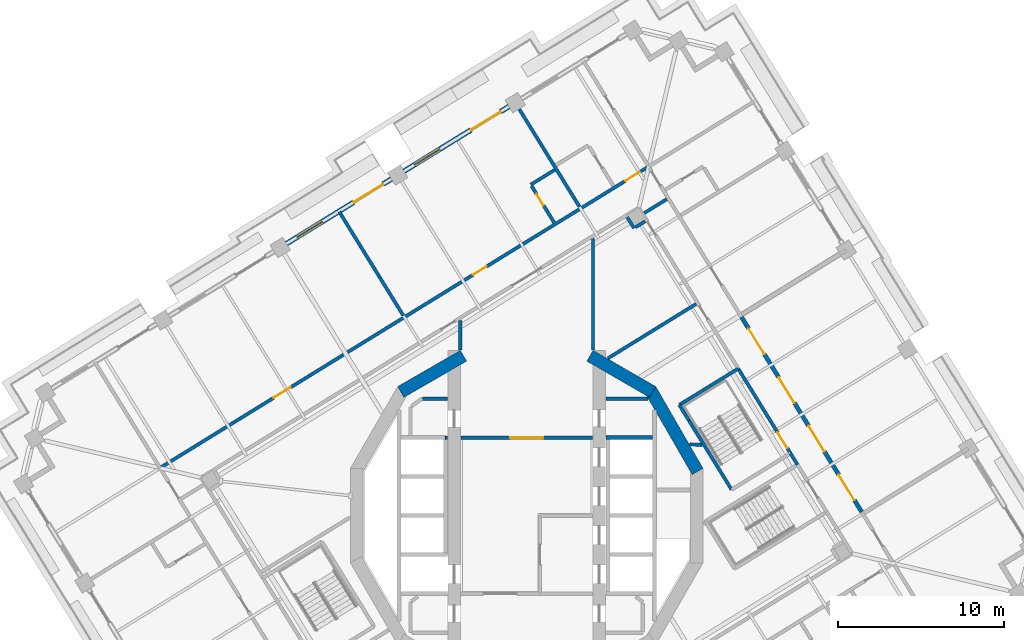
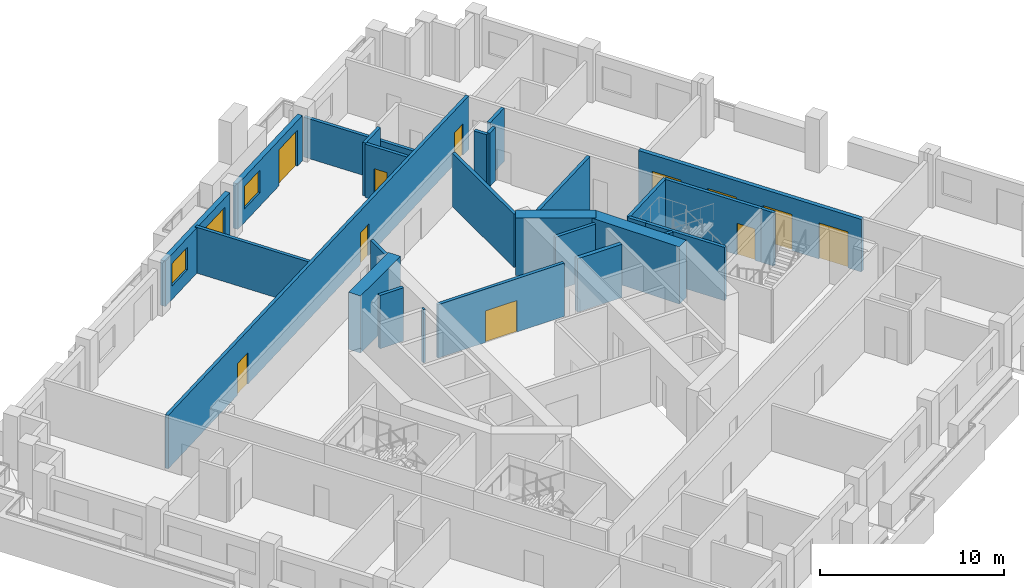
# One storey, part 8 of 20: 28 walls, 12 doors, 2 windows, 14 openings.
"""IFC4 building model written with IfcOpenShell, lengths in metres."""

import ifcopenshell
import ifcopenshell.guid

model = None  # the IFC model being written
_history = None  # IfcOwnerHistory: only IFC2X3 demands one
_inside = {}  # id of a spatial element -> (the spatial element, [elements in it])
_under = {}  # id of a project, library or spatial element -> (it, [spatial elements below it])
_declared = {}  # id of a project -> (the project, [libraries it declares])
_typed = {}  # id of a type object -> (the type object, [elements of that type])
_made_of = {}  # id of a material, layer set ... -> (it, [elements and type objects made of it])


def new_model(schema):
    """Start an empty IFC model of exactly this schema.

    Asked for "IFC4X3", IfcOpenShell would pick the latest addendum, in which some entities
    have other attributes; the version numbers below select the first issue.
    IFC2X3 requires an IfcOwnerHistory on every rooted entity: one is made here for all.
    """
    global model, _history
    if schema == "IFC4X3":
        model = ifcopenshell.file(schema_version=(4, 3, 0, 0))
    else:
        model = ifcopenshell.file(schema=schema)
    _inside.clear()
    _under.clear()
    _declared.clear()
    _typed.clear()
    _made_of.clear()
    _history = None
    if model.schema == "IFC2X3":
        org = make("IfcOrganization", Name="unknown")
        user = make(
            "IfcPersonAndOrganization",
            ThePerson=make("IfcPerson", FamilyName="unknown"),
            TheOrganization=org,
        )
        app = make(
            "IfcApplication",
            ApplicationDeveloper=org,
            Version="unknown",
            ApplicationFullName="unknown",
            ApplicationIdentifier="unknown",
        )
        _history = make(
            "IfcOwnerHistory",
            OwningUser=user,
            OwningApplication=app,
            ChangeAction="ADDED",
            CreationDate=0,
        )
    return model


def make(cls, **values):
    """One entity of the class cls with the attributes given. An attribute that is None is left unset."""
    return model.create_entity(
        cls, **{name: value for name, value in values.items() if value is not None}
    )


def rooted(cls, **values):
    """An entity with a GlobalId (a new one), such as an element, a storey or a relation."""
    return make(cls, GlobalId=ifcopenshell.guid.new(), OwnerHistory=_history, **values)


def si_unit(unit_type, name, prefix=None):
    """IfcSIUnit, for example si_unit("LENGTHUNIT", "METRE", prefix="MILLI")."""
    return make("IfcSIUnit", UnitType=unit_type, Prefix=prefix, Name=name)


def assignment(units):
    """IfcUnitAssignment: the units of a project."""
    return None if units is None else make("IfcUnitAssignment", Units=units)


def point(xyz):
    """IfcCartesianPoint."""
    return None if xyz is None else make("IfcCartesianPoint", Coordinates=xyz)


def direction(xyz):
    """IfcDirection."""
    return None if xyz is None else make("IfcDirection", DirectionRatios=xyz)


def frame(location, z_axis=None, x_axis=None):
    """IfcAxis2Placement3D, a coordinate frame: its origin and axes. An axis left out is left unset."""
    return make(
        "IfcAxis2Placement3D",
        Location=point(location),
        Axis=direction(z_axis),
        RefDirection=direction(x_axis),
    )


def frame_2d(location, x_axis=None):
    """IfcAxis2Placement2D, a coordinate frame in the plane: its origin and x axis."""
    return make(
        "IfcAxis2Placement2D", Location=point(location), RefDirection=direction(x_axis)
    )


def origin():
    """The frame at (0, 0, 0) with its axes left unset."""
    return frame((0.0, 0.0, 0.0))


def place(relative_to, where):
    """IfcLocalPlacement: puts the frame where relative to a parent placement (None: the world)."""
    return make(
        "IfcLocalPlacement", PlacementRelTo=relative_to, RelativePlacement=where
    )


def context(
    kind, dimensions, precision=None, world=None, true_north=None, identifier=None
):
    """IfcGeometricRepresentationContext, for example the 3D "Model" context."""
    return make(
        "IfcGeometricRepresentationContext",
        ContextIdentifier=identifier,
        ContextType=kind,
        CoordinateSpaceDimension=dimensions,
        Precision=precision,
        WorldCoordinateSystem=world,
        TrueNorth=true_north,
    )


def subcontext(parent, identifier, kind, view, scale=None):
    """IfcGeometricRepresentationSubContext, for example "Body" below "Model"."""
    return make(
        "IfcGeometricRepresentationSubContext",
        ContextIdentifier=identifier,
        ContextType=kind,
        ParentContext=parent,
        TargetScale=scale,
        TargetView=view,
    )


def project(units=None, contexts=None):
    """IfcProject with its units and contexts."""
    return rooted(
        "IfcProject",
        Name="project",
        RepresentationContexts=contexts,
        UnitsInContext=assignment(units),
    )


def spatial(cls, under=None, at=None, **own):
    """A site, building, storey or space (cls), placed at a placement, below another one or the project."""
    s = rooted(cls, ObjectPlacement=at, **own)
    if under is not None:
        _under.setdefault(under.id(), (under, []))[1].append(s)
    return s


def profile(cls, at=None, kind="AREA", **sizes):
    """A parametric profile (cls). Its sizes go by their IFC names, for example OverallWidth=200.0."""
    return make(cls, ProfileType=kind, Position=at, **sizes)


def rectangle(**sizes):
    """IfcRectangleProfileDef."""
    return profile("IfcRectangleProfileDef", **sizes)


def extrude(swept, where, along, depth):
    """IfcExtrudedAreaSolid: the profile swept, set in the frame where, extruded along a direction by depth."""
    return make(
        "IfcExtrudedAreaSolid",
        SweptArea=swept,
        Position=where,
        ExtrudedDirection=direction(along),
        Depth=depth,
    )


def shape(context_of_items, identifier, shape_type, items):
    """IfcShapeRepresentation: the items that make up one representation, for example the "Body"."""
    return make(
        "IfcShapeRepresentation",
        ContextOfItems=context_of_items,
        RepresentationIdentifier=identifier,
        RepresentationType=shape_type,
        Items=items,
    )


def material(Name=None, Category=None):
    """IfcMaterial."""
    return make("IfcMaterial", Name=Name, Category=Category)


def layer(
    of_material, thickness, ventilated=None, Name=None, Category=None, Priority=None
):
    """IfcMaterialLayer: one layer of a wall or slab, of a material (None: an air gap)."""
    return make(
        "IfcMaterialLayer",
        Material=of_material,
        LayerThickness=thickness,
        IsVentilated=ventilated,
        Name=Name,
        Category=Category,
        Priority=Priority,
    )


def layer_set(layers, Name=None):
    """IfcMaterialLayerSet."""
    return make("IfcMaterialLayerSet", MaterialLayers=layers, LayerSetName=Name)


def made_of(thing, what):
    """Note that an element or type object is made of a material, layer set ...; save() writes the relation."""
    if what is not None:
        _made_of.setdefault(what.id(), (what, []))[1].append(thing)
    return thing


def type_object(cls, material=None, **own):
    """A type object (cls), such as IfcWallType, which elements share."""
    return made_of(rooted(cls, **own), material)


def element(
    cls,
    number,
    at=None,
    inside=None,
    cuts=None,
    type_object=None,
    material=None,
    context=None,
    identifier="Body",
    shape_type=None,
    held_by="IfcProductDefinitionShape",
    body=None,
    shapes=None,
    **own,
):
    """One element of the class cls, such as IfcWall. Its Tag is "e" and its number.

    at: its placement. inside: the storey or other place that contains it. cuts: it is an
    opening in that element (IfcRelVoidsElement). A single representation is given by context,
    identifier, shape_type and body (its items); several are given by shapes. held_by: the class
    of the entity that holds the representations. save() writes the other relations.
    """
    e = rooted(cls, Tag="e%d" % number, ObjectPlacement=at, **own)
    if body is not None:
        shapes = [shape(context, identifier, shape_type, body)]
    if shapes is not None:
        e.Representation = make(held_by, Representations=shapes)
    if inside is not None:
        _inside.setdefault(inside.id(), (inside, []))[1].append(e)
    if cuts is not None:
        rooted(
            "IfcRelVoidsElement", RelatingBuildingElement=cuts, RelatedOpeningElement=e
        )
    if type_object is not None:
        _typed.setdefault(type_object.id(), (type_object, []))[1].append(e)
    return made_of(e, material)


def fill(opening, filler):
    """IfcRelFillsElement: the door or window that sits in an opening."""
    return rooted(
        "IfcRelFillsElement",
        RelatingOpeningElement=opening,
        RelatedBuildingElement=filler,
    )


def aggregate(whole, parts):
    """IfcRelAggregates: a whole, such as a stair, and the parts it consists of."""
    return rooted("IfcRelAggregates", RelatingObject=whole, RelatedObjects=parts)


def save(model, path):
    """Write the relations noted so far, then the file.

    IfcRelAggregates (storeys below a building ...), IfcRelContainedInSpatialStructure (elements
    in a storey), IfcRelDefinesByType, IfcRelAssociatesMaterial and IfcRelDeclares: one each for
    every whole, place, type object, material and project.
    """
    for whole, parts in _under.values():
        aggregate(whole, parts)
    for where, things in _inside.values():
        rooted(
            "IfcRelContainedInSpatialStructure",
            RelatedElements=things,
            RelatingStructure=where,
        )
    for kind, things in _typed.values():
        rooted("IfcRelDefinesByType", RelatedObjects=things, RelatingType=kind)
    for what, things in _made_of.values():
        rooted("IfcRelAssociatesMaterial", RelatedObjects=things, RelatingMaterial=what)
    for by, libraries in _declared.values():
        rooted("IfcRelDeclares", RelatingContext=by, RelatedDefinitions=libraries)
    model.write(path)


model = new_model("IFC4")

# Units and contexts
model_context = context("Model", 3, precision=1e-05, world=origin(), true_north=direction((0.0, 1.0)))
body_context = subcontext(model_context, "Body", "Model", "MODEL_VIEW")
ifc_project = project(units=[si_unit("LENGTHUNIT", "METRE"), si_unit("AREAUNIT", "SQUARE_METRE"), si_unit("VOLUMEUNIT", "CUBIC_METRE"), si_unit("PLANEANGLEUNIT", "RADIAN"), si_unit("MASSUNIT", "GRAM", prefix="KILO")], contexts=[model_context])

# Site, building, storey
site_placement = place(None, origin())
site = spatial("IfcSite", under=ifc_project, at=site_placement, CompositionType="ELEMENT")
building_placement = place(site_placement, origin())
building = spatial("IfcBuilding", under=site, at=building_placement, Name="Cantera Rosa Tower", CompositionType="ELEMENT")
storey_placement = place(building_placement, frame((0.0, 0.0, 181.800048828125)))
storey = spatial("IfcBuildingStorey", under=building, at=storey_placement, Name="L40", CompositionType="ELEMENT", Elevation=181.800048828125)

# Wall
ifc_material_1 = material(Name="Gypsum board partition")
ifc_layer_1 = layer(ifc_material_1, 0.199951171875)
ifc_layer_set_1 = layer_set([ifc_layer_1], Name="CORRIDOR WALL 200 H3550")
wall_type_1 = type_object("IfcWallType", Name="CORRIDOR WALL 200 H3550", PredefinedType="PARTITIONING", material=ifc_layer_set_1)
wall_1_placement = place(storey_placement, frame((-4.0, 11.765625, 0.0), z_axis=(0.0, 0.0, 1.0), x_axis=(0.0, -1.0, 0.0)))
element("IfcWall", 1, at=wall_1_placement, inside=storey, type_object=wall_type_1, Name="CORRIDOR WALL L40-049", PredefinedType="PARTITIONING", context=body_context, shape_type="SweptSolid", body=[
    extrude(rectangle(XDim=1.771484375, YDim=0.199951171875, at=frame_2d((0.8857421875, 0.0))), origin(), (0.0, 0.0, 1.0), 3.550048828125),
])

# Wall, opening, door
wall_2_placement = place(storey_placement, frame((-3.969970703125, 4.699951171875, 0.0), z_axis=(0.0, 0.0, 1.0), x_axis=(1.0, 0.0, 0.0)))
wall_2 = element("IfcWall", 2, at=wall_2_placement, inside=storey, type_object=wall_type_1, Name="CORRIDOR WALL L40-050", PredefinedType="PARTITIONING", context=body_context, shape_type="SweptSolid", body=[
    extrude(rectangle(XDim=7.93994140625, YDim=0.199951171875, at=frame_2d((3.969970703125, 0.0))), origin(), (0.0, 0.0, 1.0), 3.550048828125),
])
opening_1_placement = place(wall_2_placement, frame((2.969970703125, 0.0, 0.0)))
opening_1 = element("IfcOpeningElement", 3, at=opening_1_placement, cuts=wall_2, Name="Opening L40-012", PredefinedType="OPENING", context=body_context, shape_type="SweptSolid", body=[
    extrude(rectangle(XDim=2.0, YDim=2.10009765625, at=frame_2d((1.0, 1.050048828125))), frame((0.0, 0.10986328125, 0.0), z_axis=(0.0, -1.0, 0.0), x_axis=(1.0, 0.0, 0.0)), (0.0, 0.0, 1.0), 0.219970703125),
])
ifc_material_2 = material(Name="Steel S355J2 (EN 10025-2)", Category="steel")
door_type_1 = type_object("IfcDoorType", Name="LOBBY SCREEN DOOR 2000x2100", OperationType="NOTDEFINED", PredefinedType="DOOR", material=ifc_material_2)
door_1_placement = place(opening_1_placement, origin())
door_1 = element("IfcDoor", 4, at=door_1_placement, inside=storey, type_object=door_type_1, Name="DOOR L40-012", OperationType="NOTDEFINED", OverallHeight=2.10009765625, OverallWidth=2.0, PredefinedType="DOOR", context=body_context, shape_type="SweptSolid", body=[
    extrude(rectangle(XDim=2.0, YDim=2.10009765625, at=frame_2d((1.0, 1.050048828125))), frame((0.0, 0.02490234375, 0.0), z_axis=(0.0, -1.0, 0.0), x_axis=(1.0, 0.0, 0.0)), (0.0, 0.0, 1.0), 0.050048828125),
])
fill(opening_1, door_1)

# Walls
wall_3_placement = place(storey_placement, frame((4.0, 9.994140625, 0.0), z_axis=(0.0, 0.0, 1.0), x_axis=(0.0, 1.0, 0.0)))
element("IfcWall", 5, at=wall_3_placement, inside=storey, type_object=wall_type_1, Name="CORRIDOR WALL L40-066", PredefinedType="PARTITIONING", context=body_context, shape_type="SweptSolid", body=[
    extrude(rectangle(XDim=6.7060546875, YDim=0.199951171875, at=frame_2d((3.35302734375, 0.0))), origin(), (0.0, 0.0, 1.0), 3.550048828125),
])
wall_4_placement = place(storey_placement, frame((7.08154296875, 18.234619140625, 0.0), z_axis=(0.0, 0.0, 1.0), x_axis=(0.851154962238, 0.524914498045, 0.0)))
element("IfcWall", 6, at=wall_4_placement, inside=storey, type_object=wall_type_1, Name="CORRIDOR WALL L40-078", PredefinedType="PARTITIONING", context=body_context, shape_type="SweptSolid", body=[
    extrude(rectangle(XDim=1.599853515625, YDim=0.199951171875, at=frame_2d((0.7998046875, 0.0))), origin(), (0.0, 0.0, 1.0), 3.550048828125),
])

# Wall, openings, doors
wall_5_placement = place(storey_placement, frame((7.348388671875, 21.040283203125, 0.0), z_axis=(0.0, 0.0, 1.0), x_axis=(-0.851118224949, -0.524974063321, 0.0)))
wall_5 = element("IfcWall", 7, at=wall_5_placement, inside=storey, type_object=wall_type_1, Name="CORRIDOR WALL L40-079", PredefinedType="PARTITIONING", context=body_context, shape_type="SweptSolid", body=[
    extrude(rectangle(XDim=34.5, YDim=0.199951171875, at=frame_2d((17.25, 0.0))), origin(), (0.0, 0.0, 1.0), 3.550048828125),
])
opening_2_placement = place(wall_5_placement, frame((25.35009765625, 0.0, 0.0)))
opening_2 = element("IfcOpeningElement", 8, at=opening_2_placement, cuts=wall_5, Name="Opening L40-024", PredefinedType="OPENING", context=body_context, shape_type="SweptSolid", body=[
    extrude(rectangle(XDim=1.199951171875, YDim=2.10009765625, at=frame_2d((0.60009765625, 1.050048828125))), frame((0.0, 0.10986328125, 0.0), z_axis=(0.0, -1.0, 0.0), x_axis=(1.0, 0.0, 0.0)), (0.0, 0.0, 1.0), 0.219970703125),
])
opening_3_placement = place(wall_5_placement, frame((11.485107421875, 0.0, 0.0)))
opening_3 = element("IfcOpeningElement", 9, at=opening_3_placement, cuts=wall_5, Name="Opening L40-025", PredefinedType="OPENING", context=body_context, shape_type="SweptSolid", body=[
    extrude(rectangle(XDim=0.949951171875, YDim=2.10009765625, at=frame_2d((0.47509765625, 1.050048828125))), frame((0.0, 0.10986328125, 0.0), z_axis=(0.0, -1.0, 0.0), x_axis=(1.0, 0.0, 0.0)), (0.0, 0.0, 1.0), 0.219970703125),
])
opening_4_placement = place(wall_5_placement, frame((0.64990234375, 0.0, 0.0)))
opening_4 = element("IfcOpeningElement", 10, at=opening_4_placement, cuts=wall_5, Name="Opening L40-027", PredefinedType="OPENING", context=body_context, shape_type="SweptSolid", body=[
    extrude(rectangle(XDim=1.0, YDim=2.10009765625, at=frame_2d((0.5, 1.050048828125))), frame((0.0, 0.10986328125, 0.0), z_axis=(0.0, -1.0, 0.0), x_axis=(1.0, 0.0, 0.0)), (0.0, 0.0, 1.0), 0.219970703125),
])
ifc_material_3 = material(Name="Timber door leaf", Category="wood")
door_type_2 = type_object("IfcDoorType", Name="ENTRANCE DOOR 1000x2100", OperationType="NOTDEFINED", PredefinedType="DOOR", material=ifc_material_3)
door_2_placement = place(opening_4_placement, origin())
door_2 = element("IfcDoor", 11, at=door_2_placement, inside=storey, type_object=door_type_2, Name="DOOR L40-027", OperationType="NOTDEFINED", OverallHeight=2.10009765625, OverallWidth=1.0, PredefinedType="DOOR", context=body_context, shape_type="SweptSolid", body=[
    extrude(rectangle(XDim=1.0, YDim=2.10009765625, at=frame_2d((0.5, 1.050048828125))), frame((0.0, 0.02490234375, 0.0), z_axis=(0.0, -1.0, 0.0), x_axis=(1.0, 0.0, 0.0)), (0.0, 0.0, 1.0), 0.050048828125),
])
fill(opening_4, door_2)
ifc_material_4 = material(Name="Timber door leaf", Category="wood")
door_type_3 = type_object("IfcDoorType", Name="ROOM DOOR 1200x2100", OperationType="NOTDEFINED", PredefinedType="DOOR", material=ifc_material_4)
door_3_placement = place(opening_2_placement, origin())
door_3 = element("IfcDoor", 12, at=door_3_placement, inside=storey, type_object=door_type_3, Name="DOOR L40-024", OperationType="NOTDEFINED", OverallHeight=2.10009765625, OverallWidth=1.199951171875, PredefinedType="DOOR", context=body_context, shape_type="SweptSolid", body=[
    extrude(rectangle(XDim=1.199951171875, YDim=2.10009765625, at=frame_2d((0.60009765625, 1.050048828125))), frame((0.0, 0.02490234375, 0.0), z_axis=(0.0, -1.0, 0.0), x_axis=(1.0, 0.0, 0.0)), (0.0, 0.0, 1.0), 0.050048828125),
])
fill(opening_2, door_3)
ifc_material_5 = material(Name="Timber door leaf", Category="wood")
door_type_4 = type_object("IfcDoorType", Name="ROOM DOOR 950x2100", OperationType="NOTDEFINED", PredefinedType="DOOR", material=ifc_material_5)
door_4_placement = place(opening_3_placement, origin())
door_4 = element("IfcDoor", 13, at=door_4_placement, inside=storey, type_object=door_type_4, Name="DOOR L40-025", OperationType="NOTDEFINED", OverallHeight=2.10009765625, OverallWidth=0.949951171875, PredefinedType="DOOR", context=body_context, shape_type="SweptSolid", body=[
    extrude(rectangle(XDim=0.949951171875, YDim=2.10009765625, at=frame_2d((0.47509765625, 1.050048828125))), frame((0.0, 0.02490234375, 0.0), z_axis=(0.0, -1.0, 0.0), x_axis=(1.0, 0.0, 0.0)), (0.0, 0.0, 1.0), 0.050048828125),
])
fill(opening_3, door_4)

# Wall
wall_6_placement = place(storey_placement, frame((16.31591796875, 3.072998046875, 0.0), z_axis=(0.0, 0.0, 1.0), x_axis=(-0.524947597637, 0.85113454855, 0.0)))
element("IfcWall", 14, at=wall_6_placement, inside=storey, type_object=wall_type_1, Name="CORRIDOR WALL L40-101", PredefinedType="PARTITIONING", context=body_context, shape_type="SweptSolid", body=[
    extrude(rectangle(XDim=0.80078125, YDim=0.199951171875, at=frame_2d((0.400390625, 0.0))), origin(), (0.0, 0.0, 1.0), 3.550048828125),
])

# Wall, openings, window, door
ifc_material_6 = material(Name="Hollow clay masonry with cantera stone cladding", Category="masonry")
ifc_layer_2 = layer(ifc_material_6, 0.300048828125)
ifc_layer_set_2 = layer_set([ifc_layer_2], Name="EW-LOGGIA 300 H3020")
wall_type_2 = type_object("IfcWallType", Name="EW-LOGGIA 300 H3020", PredefinedType="SOLIDWALL", material=ifc_layer_set_2)
wall_7_placement = place(storey_placement, frame((-1.07421875, 24.656982421875, 0.0), z_axis=(0.0, 0.0, 1.0), x_axis=(-0.85112578684, -0.524961803349, 0.0)))
wall_7 = element("IfcWall", 15, at=wall_7_placement, inside=storey, type_object=wall_type_2, Name="EN-L40-W09", PredefinedType="SOLIDWALL", context=body_context, shape_type="SweptSolid", body=[
    extrude(rectangle(XDim=7.420166015625, YDim=0.300048828125, at=frame_2d((3.7099609375, 0.0))), origin(), (0.0, 0.0, 1.0), 3.02001953125),
])
opening_5_placement = place(wall_7_placement, frame((0.580078125, 0.0, 0.0)))
opening_5 = element("IfcOpeningElement", 16, at=opening_5_placement, cuts=wall_7, Name="Opening L40-TD09", PredefinedType="OPENING", context=body_context, shape_type="SweptSolid", body=[
    extrude(rectangle(XDim=2.10009765625, YDim=2.39990234375, at=frame_2d((1.050048828125, 1.199951171875))), frame((0.0, 0.159912109375, 0.0), z_axis=(0.0, -1.0, 0.0), x_axis=(1.0, 0.0, 0.0)), (0.0, 0.0, 1.0), 0.320068359375),
])
opening_6_placement = place(wall_7_placement, frame((4.889892578125, 0.0, 0.89990234375)))
opening_6 = element("IfcOpeningElement", 17, at=opening_6_placement, cuts=wall_7, Name="Opening L40-W10", PredefinedType="OPENING", context=body_context, shape_type="SweptSolid", body=[
    extrude(rectangle(XDim=1.800048828125, YDim=1.5, at=frame_2d((0.89990234375, 0.75))), frame((0.0, 0.159912109375, 0.0), z_axis=(0.0, -1.0, 0.0), x_axis=(1.0, 0.0, 0.0)), (0.0, 0.0, 1.0), 0.320068359375),
])
ifc_material_7 = material(Name="Aluminium frame with clear glass", Category="aluminium")
window_type = type_object("IfcWindowType", Name="Hotel room window 1800x1500", PartitioningType="DOUBLE_PANEL_VERTICAL", PredefinedType="WINDOW", material=ifc_material_7)
window_1_placement = place(opening_6_placement, origin())
window_1 = element("IfcWindow", 18, at=window_1_placement, inside=storey, type_object=window_type, Name="WINDOW L40-W10", OverallHeight=1.5, OverallWidth=1.800048828125, PartitioningType="SINGLE_PANEL", PredefinedType="WINDOW", context=body_context, shape_type="SweptSolid", body=[
    extrude(rectangle(XDim=1.800048828125, YDim=1.5, at=frame_2d((0.89990234375, 0.75))), frame((0.0, 0.030029296875, 0.0), z_axis=(0.0, -1.0, 0.0), x_axis=(1.0, 0.0, 0.0)), (0.0, 0.0, 1.0), 0.06005859375),
])
fill(opening_6, window_1)
ifc_material_8 = material(Name="Aluminium frame with clear glass", Category="aluminium")
door_type_5 = type_object("IfcDoorType", Name="TD-H 2100x2400", OperationType="NOTDEFINED", PredefinedType="DOOR", material=ifc_material_8)
door_5_placement = place(opening_5_placement, origin())
door_5 = element("IfcDoor", 19, at=door_5_placement, inside=storey, type_object=door_type_5, Name="LOGGIA DOOR L40-TD09", OperationType="SLIDING_TO_LEFT", OverallHeight=2.39990234375, OverallWidth=2.10009765625, PredefinedType="DOOR", context=body_context, shape_type="SweptSolid", body=[
    extrude(rectangle(XDim=2.10009765625, YDim=2.39990234375, at=frame_2d((1.050048828125, 1.199951171875))), frame((0.0, 0.02490234375, 0.0), z_axis=(0.0, -1.0, 0.0), x_axis=(1.0, 0.0, 0.0)), (0.0, 0.0, 1.0), 0.050048828125),
])
fill(opening_5, door_5)

wall_8_placement = place(storey_placement, frame((-8.155517578125, 20.289306640625, 0.0), z_axis=(0.0, 0.0, 1.0), x_axis=(-0.851111085575, -0.524985637909, 0.0)))
wall_8 = element("IfcWall", 20, at=wall_8_placement, inside=storey, type_object=wall_type_2, Name="EN-L40-W10", PredefinedType="SOLIDWALL", context=body_context, shape_type="SweptSolid", body=[
    extrude(rectangle(XDim=7.420166015625, YDim=0.300048828125, at=frame_2d((3.7099609375, 0.0))), origin(), (0.0, 0.0, 1.0), 3.02001953125),
])
opening_7_placement = place(wall_8_placement, frame((0.580078125, 0.0, 0.0)))
opening_7 = element("IfcOpeningElement", 21, at=opening_7_placement, cuts=wall_8, Name="Opening L40-TD11", PredefinedType="OPENING", context=body_context, shape_type="SweptSolid", body=[
    extrude(rectangle(XDim=2.10009765625, YDim=2.39990234375, at=frame_2d((1.050048828125, 1.199951171875))), frame((0.0, 0.159912109375, 0.0), z_axis=(0.0, -1.0, 0.0), x_axis=(1.0, 0.0, 0.0)), (0.0, 0.0, 1.0), 0.320068359375),
])
opening_8_placement = place(wall_8_placement, frame((4.889892578125, 0.0, 0.89990234375)))
opening_8 = element("IfcOpeningElement", 22, at=opening_8_placement, cuts=wall_8, Name="Opening L40-W12", PredefinedType="OPENING", context=body_context, shape_type="SweptSolid", body=[
    extrude(rectangle(XDim=1.800048828125, YDim=1.5, at=frame_2d((0.89990234375, 0.75))), frame((0.0, 0.159912109375, 0.0), z_axis=(0.0, -1.0, 0.0), x_axis=(1.0, 0.0, 0.0)), (0.0, 0.0, 1.0), 0.320068359375),
])
window_2_placement = place(opening_8_placement, origin())
window_2 = element("IfcWindow", 23, at=window_2_placement, inside=storey, type_object=window_type, Name="WINDOW L40-W12", OverallHeight=1.5, OverallWidth=1.800048828125, PartitioningType="SINGLE_PANEL", PredefinedType="WINDOW", context=body_context, shape_type="SweptSolid", body=[
    extrude(rectangle(XDim=1.800048828125, YDim=1.5, at=frame_2d((0.89990234375, 0.75))), frame((0.0, 0.030029296875, 0.0), z_axis=(0.0, -1.0, 0.0), x_axis=(1.0, 0.0, 0.0)), (0.0, 0.0, 1.0), 0.06005859375),
])
fill(opening_8, window_2)
door_6_placement = place(opening_7_placement, origin())
door_6 = element("IfcDoor", 24, at=door_6_placement, inside=storey, type_object=door_type_5, Name="LOGGIA DOOR L40-TD11", OperationType="SLIDING_TO_LEFT", OverallHeight=2.39990234375, OverallWidth=2.10009765625, PredefinedType="DOOR", context=body_context, shape_type="SweptSolid", body=[
    extrude(rectangle(XDim=2.10009765625, YDim=2.39990234375, at=frame_2d((1.050048828125, 1.199951171875))), frame((0.0, 0.02490234375, 0.0), z_axis=(0.0, -1.0, 0.0), x_axis=(1.0, 0.0, 0.0)), (0.0, 0.0, 1.0), 0.050048828125),
])
fill(opening_7, door_6)

# Wall, openings, doors
ifc_material_9 = material(Name="Hollow clay masonry with cantera stone cladding", Category="masonry")
ifc_layer_3 = layer(ifc_material_9, 0.25)
ifc_layer_set_3 = layer_set([ifc_layer_3], Name="EW-POCKET REAR 250")
wall_type_3 = type_object("IfcWallType", Name="EW-POCKET REAR 250", PredefinedType="SOLIDWALL", material=ifc_layer_set_3)
wall_9_placement = place(storey_placement, frame((20.186767578125, 0.226318359375, 0.0), z_axis=(0.0, 0.0, 1.0), x_axis=(-0.524983188769, 0.851112596259, 0.0)))
wall_9 = element("IfcWall", 25, at=wall_9_placement, inside=storey, type_object=wall_type_3, Name="POCKET REAR L40", PredefinedType="SOLIDWALL", context=body_context, shape_type="SweptSolid", body=[
    extrude(rectangle(XDim=13.7900390625, YDim=0.25, at=frame_2d((6.89501953125, 0.0))), origin(), (0.0, 0.0, 1.0), 3.5),
])
opening_9_placement = place(wall_9_placement, frame((0.82373046875, 0.0, 0.0)))
opening_9 = element("IfcOpeningElement", 26, at=opening_9_placement, cuts=wall_9, Name="Opening L40-LT01", PredefinedType="OPENING", context=body_context, shape_type="SweptSolid", body=[
    extrude(rectangle(XDim=1.800048828125, YDim=2.39990234375, at=frame_2d((0.89990234375, 1.199951171875))), frame((0.0, 0.135009765625, 0.0), z_axis=(0.0, -1.0, 0.0), x_axis=(1.0, 0.0, 0.0)), (0.0, 0.0, 1.0), 0.27001953125),
])
opening_10_placement = place(wall_9_placement, frame((4.271240234375, 0.0, 0.0)))
opening_10 = element("IfcOpeningElement", 27, at=opening_10_placement, cuts=wall_9, Name="Opening L40-LT02", PredefinedType="OPENING", context=body_context, shape_type="SweptSolid", body=[
    extrude(rectangle(XDim=1.800048828125, YDim=2.39990234375, at=frame_2d((0.89990234375, 1.199951171875))), frame((0.0, 0.135009765625, 0.0), z_axis=(0.0, -1.0, 0.0), x_axis=(1.0, 0.0, 0.0)), (0.0, 0.0, 1.0), 0.27001953125),
])
opening_11_placement = place(wall_9_placement, frame((7.71875, 0.0, 0.0)))
opening_11 = element("IfcOpeningElement", 28, at=opening_11_placement, cuts=wall_9, Name="Opening L40-LT03", PredefinedType="OPENING", context=body_context, shape_type="SweptSolid", body=[
    extrude(rectangle(XDim=1.800048828125, YDim=2.39990234375, at=frame_2d((0.89990234375, 1.199951171875))), frame((0.0, 0.135009765625, 0.0), z_axis=(0.0, -1.0, 0.0), x_axis=(1.0, 0.0, 0.0)), (0.0, 0.0, 1.0), 0.27001953125),
])
opening_12_placement = place(wall_9_placement, frame((11.166259765625, 0.0, 0.0)))
opening_12 = element("IfcOpeningElement", 29, at=opening_12_placement, cuts=wall_9, Name="Opening L40-LT04", PredefinedType="OPENING", context=body_context, shape_type="SweptSolid", body=[
    extrude(rectangle(XDim=1.800048828125, YDim=2.39990234375, at=frame_2d((0.89990234375, 1.199951171875))), frame((0.0, 0.135009765625, 0.0), z_axis=(0.0, -1.0, 0.0), x_axis=(1.0, 0.0, 0.0)), (0.0, 0.0, 1.0), 0.27001953125),
])
ifc_material_10 = material(Name="Aluminium frame with clear glass", Category="aluminium")
door_type_6 = type_object("IfcDoorType", Name="TD-T 1800x2400", OperationType="NOTDEFINED", PredefinedType="DOOR", material=ifc_material_10)
door_7_placement = place(opening_9_placement, origin())
door_7 = element("IfcDoor", 30, at=door_7_placement, inside=storey, type_object=door_type_6, Name="TERRACE DOOR L40-LT01", OperationType="DOUBLE_DOOR_SINGLE_SWING", OverallHeight=2.39990234375, OverallWidth=1.800048828125, PredefinedType="DOOR", context=body_context, shape_type="SweptSolid", body=[
    extrude(rectangle(XDim=1.800048828125, YDim=2.39990234375, at=frame_2d((0.89990234375, 1.199951171875))), frame((0.0, 0.02490234375, 0.0), z_axis=(0.0, -1.0, 0.0), x_axis=(1.0, 0.0, 0.0)), (0.0, 0.0, 1.0), 0.050048828125),
])
fill(opening_9, door_7)
door_8_placement = place(opening_10_placement, origin())
door_8 = element("IfcDoor", 31, at=door_8_placement, inside=storey, type_object=door_type_6, Name="TERRACE DOOR L40-LT02", OperationType="DOUBLE_DOOR_SINGLE_SWING", OverallHeight=2.39990234375, OverallWidth=1.800048828125, PredefinedType="DOOR", context=body_context, shape_type="SweptSolid", body=[
    extrude(rectangle(XDim=1.800048828125, YDim=2.39990234375, at=frame_2d((0.89990234375, 1.199951171875))), frame((0.0, 0.02490234375, 0.0), z_axis=(0.0, -1.0, 0.0), x_axis=(1.0, 0.0, 0.0)), (0.0, 0.0, 1.0), 0.050048828125),
])
fill(opening_10, door_8)
door_9_placement = place(opening_11_placement, origin())
door_9 = element("IfcDoor", 32, at=door_9_placement, inside=storey, type_object=door_type_6, Name="TERRACE DOOR L40-LT03", OperationType="DOUBLE_DOOR_SINGLE_SWING", OverallHeight=2.39990234375, OverallWidth=1.800048828125, PredefinedType="DOOR", context=body_context, shape_type="SweptSolid", body=[
    extrude(rectangle(XDim=1.800048828125, YDim=2.39990234375, at=frame_2d((0.89990234375, 1.199951171875))), frame((0.0, 0.02490234375, 0.0), z_axis=(0.0, -1.0, 0.0), x_axis=(1.0, 0.0, 0.0)), (0.0, 0.0, 1.0), 0.050048828125),
])
fill(opening_11, door_9)
door_10_placement = place(opening_12_placement, origin())
door_10 = element("IfcDoor", 33, at=door_10_placement, inside=storey, type_object=door_type_6, Name="TERRACE DOOR L40-LT04", OperationType="DOUBLE_DOOR_SINGLE_SWING", OverallHeight=2.39990234375, OverallWidth=1.800048828125, PredefinedType="DOOR", context=body_context, shape_type="SweptSolid", body=[
    extrude(rectangle(XDim=1.800048828125, YDim=2.39990234375, at=frame_2d((0.89990234375, 1.199951171875))), frame((0.0, 0.02490234375, 0.0), z_axis=(0.0, -1.0, 0.0), x_axis=(1.0, 0.0, 0.0)), (0.0, 0.0, 1.0), 0.050048828125),
])
fill(opening_12, door_10)

# Walls
ifc_material_11 = material(Name="Gypsum board partition")
ifc_layer_4 = layer(ifc_material_11, 0.199951171875)
ifc_layer_set_4 = layer_set([ifc_layer_4], Name="PARTITION 200 H3550")
wall_type_4 = type_object("IfcWallType", Name="PARTITION 200 H3550", PredefinedType="PARTITIONING", material=ifc_layer_set_4)
wall_10_placement = place(storey_placement, frame((-6.273681640625, 7.050048828125, 0.0), z_axis=(0.0, 0.0, 1.0), x_axis=(1.0, 0.0, 0.0)))
element("IfcWall", 34, at=wall_10_placement, inside=storey, type_object=wall_type_4, Name="PARTITION L40-040", PredefinedType="PARTITIONING", context=body_context, shape_type="SweptSolid", body=[
    extrude(rectangle(XDim=1.49365234375, YDim=0.199951171875, at=frame_2d((0.746826171875, 0.0))), origin(), (0.0, 0.0, 1.0), 3.550048828125),
])
wall_11_placement = place(storey_placement, frame((-4.780029296875, 4.699951171875, 0.0), z_axis=(0.0, 0.0, 1.0), x_axis=(-1.0, 0.0, 0.0)))
element("IfcWall", 35, at=wall_11_placement, inside=storey, type_object=wall_type_4, Name="PARTITION L40-045", PredefinedType="PARTITIONING", context=body_context, shape_type="SweptSolid", body=[
    extrude(rectangle(XDim=0.119873046875, YDim=0.199951171875, at=frame_2d((0.06005859375, 0.0))), origin(), (0.0, 0.0, 1.0), 3.550048828125),
])
wall_12_placement = place(storey_placement, frame((0.244140625, 19.947998046875, 0.0), z_axis=(0.0, 0.0, 1.0), x_axis=(0.851066052965, 0.525058638144, 0.0)))
element("IfcWall", 36, at=wall_12_placement, inside=storey, type_object=wall_type_4, Name="PARTITION L40-055", PredefinedType="PARTITIONING", context=body_context, shape_type="SweptSolid", body=[
    extrude(rectangle(XDim=1.699951171875, YDim=0.199951171875, at=frame_2d((0.85009765625, 0.0))), origin(), (0.0, 0.0, 1.0), 3.550048828125),
])

# Wall, opening, door
wall_13_placement = place(storey_placement, frame((1.65087890625, 17.6669921875, 0.0), z_axis=(0.0, 0.0, 1.0), x_axis=(-0.524894416009, 0.851167346673, 0.0)))
wall_13 = element("IfcWall", 37, at=wall_13_placement, inside=storey, type_object=wall_type_4, Name="PARTITION L40-061", PredefinedType="PARTITIONING", context=body_context, shape_type="SweptSolid", body=[
    extrude(rectangle(XDim=2.580078125, YDim=0.199951171875, at=frame_2d((1.2900390625, 0.0))), origin(), (0.0, 0.0, 1.0), 3.550048828125),
])
opening_13_placement = place(wall_13_placement, frame((1.216064453125, 0.0, 0.0)))
opening_13 = element("IfcOpeningElement", 38, at=opening_13_placement, cuts=wall_13, Name="Opening L40-026", PredefinedType="OPENING", context=body_context, shape_type="SweptSolid", body=[
    extrude(rectangle(XDim=0.800048828125, YDim=2.10009765625, at=frame_2d((0.39990234375, 1.050048828125))), frame((0.0, 0.10986328125, 0.0), z_axis=(0.0, -1.0, 0.0), x_axis=(1.0, 0.0, 0.0)), (0.0, 0.0, 1.0), 0.219970703125),
])
ifc_material_12 = material(Name="Timber door leaf", Category="wood")
door_type_7 = type_object("IfcDoorType", Name="BATHROOM DOOR 800x2100", OperationType="NOTDEFINED", PredefinedType="DOOR", material=ifc_material_12)
door_11_placement = place(opening_13_placement, origin())
door_11 = element("IfcDoor", 39, at=door_11_placement, inside=storey, type_object=door_type_7, Name="DOOR L40-026", OperationType="NOTDEFINED", OverallHeight=2.10009765625, OverallWidth=0.800048828125, PredefinedType="DOOR", context=body_context, shape_type="SweptSolid", body=[
    extrude(rectangle(XDim=0.800048828125, YDim=2.10009765625, at=frame_2d((0.39990234375, 1.050048828125))), frame((0.0, 0.02490234375, 0.0), z_axis=(0.0, -1.0, 0.0), x_axis=(1.0, 0.0, 0.0)), (0.0, 0.0, 1.0), 0.050048828125),
])
fill(opening_13, door_11)

# Walls
wall_14_placement = place(storey_placement, frame((4.780029296875, 7.050048828125, 0.0), z_axis=(0.0, 0.0, 1.0), x_axis=(1.0, 0.0, 0.0)))
element("IfcWall", 40, at=wall_14_placement, inside=storey, type_object=wall_type_4, Name="PARTITION L40-069", PredefinedType="PARTITIONING", context=body_context, shape_type="SweptSolid", body=[
    extrude(rectangle(XDim=2.517822265625, YDim=0.199951171875, at=frame_2d((1.2587890625, 0.0))), origin(), (0.0, 0.0, 1.0), 3.550048828125),
])
wall_15_placement = place(storey_placement, frame((4.8916015625, 9.479248046875, 0.0), z_axis=(0.0, 0.0, 1.0), x_axis=(0.851111145043, 0.5249855415, 0.0)))
element("IfcWall", 41, at=wall_15_placement, inside=storey, type_object=wall_type_4, Name="PARTITION L40-070", PredefinedType="PARTITIONING", context=body_context, shape_type="SweptSolid", body=[
    extrude(rectangle(XDim=6.240478515625, YDim=0.199951171875, at=frame_2d((3.1201171875, 0.0))), origin(), (0.0, 0.0, 1.0), 3.550048828125),
])
wall_16_placement = place(storey_placement, frame((6.058349609375, 17.98876953125, 0.0), z_axis=(0.0, 0.0, 1.0), x_axis=(0.524813124932, -0.851217471566, 0.0)))
element("IfcWall", 42, at=wall_16_placement, inside=storey, type_object=wall_type_4, Name="PARTITION L40-072", PredefinedType="PARTITIONING", context=body_context, shape_type="SweptSolid", body=[
    extrude(rectangle(XDim=0.780029296875, YDim=0.199951171875, at=frame_2d((0.39013671875, 0.0))), origin(), (0.0, 0.0, 1.0), 3.550048828125),
])
wall_17_placement = place(storey_placement, frame((6.552978515625, 17.377197265625, 0.0), z_axis=(0.0, 0.0, 1.0), x_axis=(0.850930166337, 0.525278832638, 0.0)))
element("IfcWall", 43, at=wall_17_placement, inside=storey, type_object=wall_type_4, Name="PARTITION L40-074", PredefinedType="PARTITIONING", context=body_context, shape_type="SweptSolid", body=[
    extrude(rectangle(XDim=0.679931640625, YDim=0.199951171875, at=frame_2d((0.33984375, 0.0))), origin(), (0.0, 0.0, 1.0), 3.550048828125),
])
wall_18_placement = place(storey_placement, frame((10.567138671875, 4.26611328125, 0.0), z_axis=(0.0, 0.0, 1.0), x_axis=(-0.99917349636, 0.040648790534, 0.0)))
element("IfcWall", 44, at=wall_18_placement, inside=storey, type_object=wall_type_4, Name="PARTITION L40-091", PredefinedType="PARTITIONING", context=body_context, shape_type="SweptSolid", body=[
    extrude(rectangle(XDim=0.744873046875, YDim=0.199951171875, at=frame_2d((0.37255859375, 0.0))), origin(), (0.0, 0.0, 1.0), 3.550048828125),
])
ifc_material_13 = material(Name="Gypsum board partition")
ifc_layer_5 = layer(ifc_material_13, 0.199951171875)
ifc_layer_set_5 = layer_set([ifc_layer_5], Name="PARTY WALL 200 H2650")
wall_type_5 = type_object("IfcWallType", Name="PARTY WALL 200 H2650", PredefinedType="PARTITIONING", material=ifc_layer_set_5)
wall_19_placement = place(storey_placement, frame((-0.675537109375, 24.86767578125, 0.0), z_axis=(0.0, 0.0, 1.0), x_axis=(0.52498856982, -0.851109277096, 0.0)))
element("IfcWall", 45, at=wall_19_placement, inside=storey, type_object=wall_type_5, Name="PARTY WALL L40-054", PredefinedType="PARTITIONING", context=body_context, shape_type="SweptSolid", body=[
    extrude(rectangle(XDim=7.349853515625, YDim=0.199951171875, at=frame_2d((3.6748046875, 0.0))), origin(), (0.0, 0.0, 1.0), 2.64990234375),
])
ifc_material_14 = material(Name="Gypsum board partition")
ifc_layer_6 = layer(ifc_material_14, 0.199951171875)
ifc_layer_set_6 = layer_set([ifc_layer_6], Name="PARTY WALL 200 H3050")
wall_type_6 = type_object("IfcWallType", Name="PARTY WALL 200 H3050", PredefinedType="PARTITIONING", material=ifc_layer_set_6)
wall_20_placement = place(storey_placement, frame((-7.43896484375, 12.060302734375, 0.0), z_axis=(0.0, 0.0, 1.0), x_axis=(-0.52498856982, 0.851109277096, 0.0)))
element("IfcWall", 46, at=wall_20_placement, inside=storey, type_object=wall_type_6, Name="PARTY WALL L40-031", PredefinedType="PARTITIONING", context=body_context, shape_type="SweptSolid", body=[
    extrude(rectangle(XDim=7.349853515625, YDim=0.199951171875, at=frame_2d((3.6748046875, 0.0))), origin(), (0.0, 0.0, 1.0), 3.050048828125),
])
ifc_material_15 = material(Name="Concrete C60/75", Category="concrete")
ifc_layer_7 = layer(ifc_material_15, 0.75)
ifc_layer_set_7 = layer_set([ifc_layer_7], Name="RC CORE WALL 750 C60/75")
wall_type_7 = type_object("IfcWallType", Name="RC CORE WALL 750 C60/75", PredefinedType="SHEAR", material=ifc_layer_set_7)
for number, where, z_axis, x_axis, name in (
    (47, (-7.590576171875, 7.453369140625, 0.0), (0.0, 0.0, 1.0), (0.866013176292, 0.50002117804, 0.0), "CW-W5 L40"),
    (48, (3.8125, 9.634765625, 0.0), (0.0, 0.0, 1.0), (0.866013176292, -0.50002117804, 0.0), "CW-E1 L40"),
):
    element("IfcWall", number, at=place(storey_placement, frame(where, z_axis=z_axis, x_axis=x_axis)), inside=storey, type_object=wall_type_7, Name=name, PredefinedType="SHEAR", context=body_context, shape_type="SweptSolid", body=[
        extrude(rectangle(XDim=4.362548828125, YDim=0.75, at=frame_2d((2.18115234375, 0.0))), origin(), (0.0, 0.0, 1.0), 3.800048828125),
    ])
wall_21_placement = place(storey_placement, frame((7.453369140625, 7.590576171875, 0.0), z_axis=(0.0, 0.0, 1.0), x_axis=(0.500021842983, -0.866012792365, 0.0)))
element("IfcWall", 49, at=wall_21_placement, inside=storey, type_object=wall_type_7, Name="CW-E2 L40", PredefinedType="SHEAR", context=body_context, shape_type="SweptSolid", body=[
    extrude(rectangle(XDim=5.694091796875, YDim=0.75, at=frame_2d((2.84716796875, 0.0))), origin(), (0.0, 0.0, 1.0), 3.800048828125),
])
ifc_material_16 = material(Name="Masonry blockwork", Category="masonry")
ifc_layer_8 = layer(ifc_material_16, 0.25)
ifc_layer_set_8 = layer_set([ifc_layer_8], Name="SHAFT WALL 250 H3550")
wall_type_8 = type_object("IfcWallType", Name="SHAFT WALL 250 H3550", PredefinedType="SOLIDWALL", material=ifc_layer_set_8)
wall_22_placement = place(storey_placement, frame((4.780029296875, 4.699951171875, 0.0), z_axis=(0.0, 0.0, 1.0), x_axis=(1.0, 0.0, 0.0)))
element("IfcWall", 50, at=wall_22_placement, inside=storey, type_object=wall_type_8, Name="SHAFT WALL L40-068", PredefinedType="SOLIDWALL", context=body_context, shape_type="SweptSolid", body=[
    extrude(rectangle(XDim=2.794921875, YDim=0.25, at=frame_2d((1.3974609375, 0.0))), origin(), (0.0, 0.0, 1.0), 3.550048828125),
])
ifc_material_17 = material(Name="Concrete C50/60", Category="concrete")
ifc_layer_9 = layer(ifc_material_17, 0.199951171875)
ifc_layer_set_9 = layer_set([ifc_layer_9], Name="STAIR WALL 200 H3550")
wall_type_9 = type_object("IfcWallType", Name="STAIR WALL 200 H3550", PredefinedType="SOLIDWALL", material=ifc_layer_set_9)
wall_23_placement = place(storey_placement, frame((9.199462890625, 6.674072265625, 0.0), z_axis=(0.0, 0.0, 1.0), x_axis=(0.524902102766, -0.851162606387, 0.0)))
element("IfcWall", 51, at=wall_23_placement, inside=storey, type_object=wall_type_9, Name="STAIR WALL L40-089", PredefinedType="SOLIDWALL", context=body_context, shape_type="SweptSolid", body=[
    extrude(rectangle(XDim=1.10009765625, YDim=0.199951171875, at=frame_2d((0.550048828125, 0.0))), origin(), (0.0, 0.0, 1.0), 3.550048828125),
])
wall_24_placement = place(storey_placement, frame((12.74560546875, 8.861328125, 0.0), z_axis=(0.0, 0.0, 1.0), x_axis=(-0.851120688733, -0.524970068871, 0.0)))
element("IfcWall", 52, at=wall_24_placement, inside=storey, type_object=wall_type_9, Name="STAIR WALL L40-098", PredefinedType="SOLIDWALL", context=body_context, shape_type="SweptSolid", body=[
    extrude(rectangle(XDim=4.16650390625, YDim=0.199951171875, at=frame_2d((2.083251953125, 0.0))), origin(), (0.0, 0.0, 1.0), 3.550048828125),
])

# Wall, opening, door
wall_25_placement = place(storey_placement, frame((15.8955078125, 3.754638671875, 0.0), z_axis=(0.0, 0.0, 1.0), x_axis=(-0.524982543144, 0.851112994493, 0.0)))
wall_25 = element("IfcWall", 53, at=wall_25_placement, inside=storey, type_object=wall_type_9, Name="STAIR WALL L40-100", PredefinedType="SOLIDWALL", context=body_context, shape_type="SweptSolid", body=[
    extrude(rectangle(XDim=6.0, YDim=0.199951171875, at=frame_2d((3.0, 0.0))), origin(), (0.0, 0.0, 1.0), 3.550048828125),
])
opening_14_placement = place(wall_25_placement, frame((0.375, 0.0, 0.0)))
opening_14 = element("IfcOpeningElement", 54, at=opening_14_placement, cuts=wall_25, Name="Opening L40-001", PredefinedType="OPENING", context=body_context, shape_type="SweptSolid", body=[
    extrude(rectangle(XDim=1.10009765625, YDim=2.10009765625, at=frame_2d((0.550048828125, 1.050048828125))), frame((0.0, 0.10986328125, 0.0), z_axis=(0.0, -1.0, 0.0), x_axis=(1.0, 0.0, 0.0)), (0.0, 0.0, 1.0), 0.219970703125),
])
ifc_material_18 = material(Name="Steel S355J2 (EN 10025-2)", Category="steel")
door_type_8 = type_object("IfcDoorType", Name="STAIR DOOR 1100x2100", OperationType="NOTDEFINED", PredefinedType="DOOR", material=ifc_material_18)
door_12_placement = place(opening_14_placement, origin())
door_12 = element("IfcDoor", 55, at=door_12_placement, inside=storey, type_object=door_type_8, Name="DOOR L40-001", OperationType="NOTDEFINED", OverallHeight=2.10009765625, OverallWidth=1.10009765625, PredefinedType="DOOR", context=body_context, shape_type="SweptSolid", body=[
    extrude(rectangle(XDim=1.10009765625, YDim=2.10009765625, at=frame_2d((0.550048828125, 1.050048828125))), frame((0.0, 0.02490234375, 0.0), z_axis=(0.0, -1.0, 0.0), x_axis=(1.0, 0.0, 0.0)), (0.0, 0.0, 1.0), 0.050048828125),
])
fill(opening_14, door_12)

# Wall
wall_26_placement = place(storey_placement, frame((9.77685546875, 5.73779296875, 0.0), z_axis=(0.0, 0.0, 1.0), x_axis=(0.525000600504, -0.851101856108, 0.0)))
element("IfcWall", 56, at=wall_26_placement, inside=storey, type_object=wall_type_9, Name="STAIR WALL L40-089 J", PredefinedType="SOLIDWALL", context=body_context, shape_type="SweptSolid", body=[
    extrude(rectangle(XDim=4.89990234375, YDim=0.199951171875, at=frame_2d((2.449951171875, 0.0))), origin(), (0.0, 0.0, 1.0), 3.550048828125),
])

save(model, "model.ifc")
